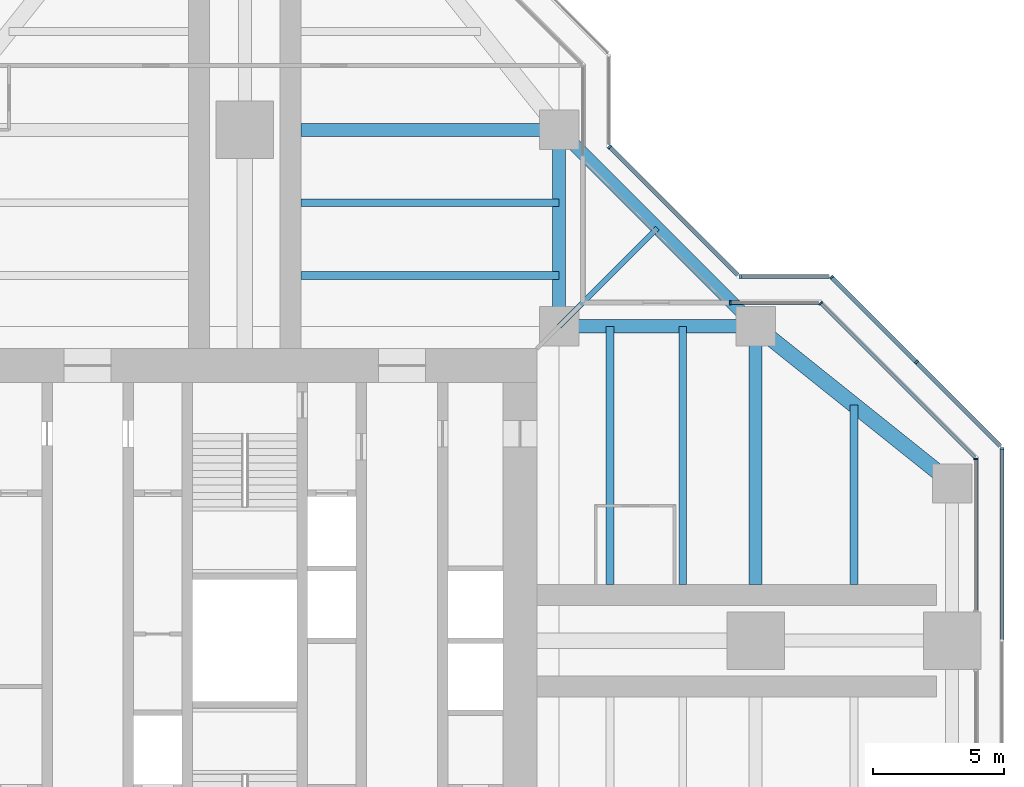
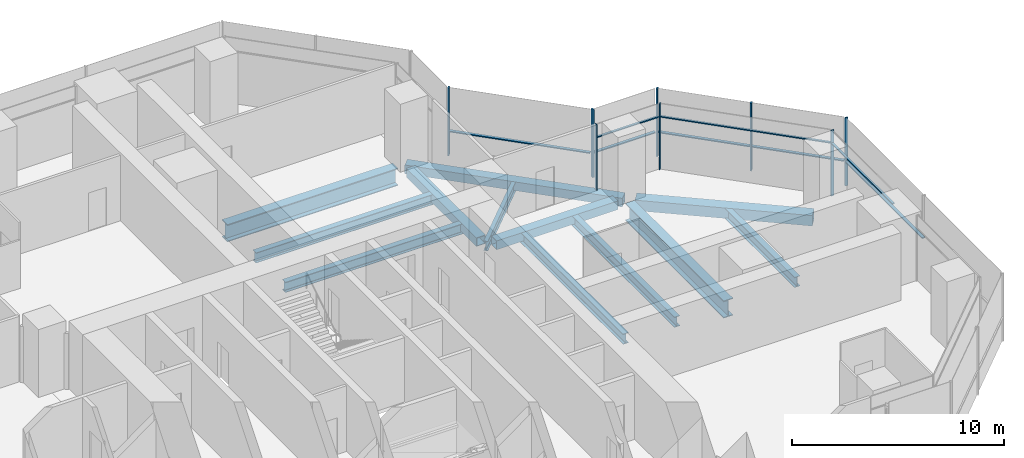
# One storey, part 8 of 17: 16 members, 12 beams, 7 elements without a shape of their own.
"""IFC4 building model written with IfcOpenShell, lengths in metres."""

from ifc_helpers import new_model, si_unit, direction, frame, origin, origin_2d, place, context, subcontext, project, spatial, rectangle, hollow_rectangle, i_section, extrude, material, material_profile, profile_set, type_object, element, aggregate, save


model = new_model("IFC4")

# Units and contexts
model_context = context("Model", 3, precision=1e-05, world=origin(), true_north=direction((0.0, 1.0)))
body_context = subcontext(model_context, "Body", "Model", "MODEL_VIEW")
ifc_project = project(units=[si_unit("LENGTHUNIT", "METRE"), si_unit("AREAUNIT", "SQUARE_METRE"), si_unit("VOLUMEUNIT", "CUBIC_METRE"), si_unit("PLANEANGLEUNIT", "RADIAN"), si_unit("MASSUNIT", "GRAM", prefix="KILO")], contexts=[model_context])

# Site, building, storey
site_placement = place(None, origin())
site = spatial("IfcSite", under=ifc_project, at=site_placement, CompositionType="ELEMENT")
building_placement = place(site_placement, origin())
building = spatial("IfcBuilding", under=site, at=building_placement, Name="Mizan Broadcast Tower", CompositionType="ELEMENT")
storey_placement = place(building_placement, frame((0.0, 0.0, 259.5)))
storey = spatial("IfcBuildingStorey", under=building, at=storey_placement, Name="L61", CompositionType="ELEMENT", Elevation=259.5)

# Beams
ifc_material_1 = material(Name="Steel S355", Category="steel")
ifc_material_profile_1 = material_profile(ifc_material_1, hollow_rectangle(XDim=0.5, YDim=0.5, WallThickness=0.030029296875, at=origin_2d()), Name="BOX 500x500x30")
ifc_profile_set_1 = profile_set([ifc_material_profile_1], Name="Steel S355")
beam_type_1 = type_object("IfcBeamType", Name="EDGE BEAM BOX 500x500x30", PredefinedType="SPANDREL", material=ifc_profile_set_1)
for number, where, z_axis, x_axis, name in (
    (1, (12.449951171875, 12.0, -0.3798828125), (1.0, 0.0, 0.0), (0.0, 1.0, 0.0), "Edge beam BOX 500x500x30 L61 east arm"),
    (2, (12.0, 12.449951171875, -0.3798828125), (0.0, 1.0, 0.0), (-1.0, 0.0, 0.0), "Edge beam BOX 500x500x30 L61 north arm"),
):
    element("IfcBeam", number, at=place(storey_placement, frame(where, z_axis=z_axis, x_axis=x_axis)), inside=storey, type_object=beam_type_1, Name=name, PredefinedType="SPANDREL", context=body_context, shape_type="SweptSolid", body=[
        extrude(hollow_rectangle(XDim=0.5, YDim=0.5, WallThickness=0.030029296875, at=origin_2d()), origin(), (0.0, 0.0, 1.0), 6.60009765625),
    ])
beam_1_placement = place(storey_placement, frame((19.5, 12.0, -0.3798828125), z_axis=(-0.707106781187, 0.707106781187, 0.0), x_axis=(-0.707106781187, -0.707106781187, 0.0)))
element("IfcBeam", 3, at=beam_1_placement, inside=storey, type_object=beam_type_1, Name="Winter garden edge beam L61 E", PredefinedType="SPANDREL", context=body_context, shape_type="SweptSolid", body=[
    extrude(hollow_rectangle(XDim=0.5, YDim=0.5, WallThickness=0.030029296875, at=origin_2d()), origin(), (0.0, 0.0, 1.0), 10.606689453125),
])
ifc_material_2 = material(Name="Steel S355", Category="steel")
ifc_material_profile_2 = material_profile(ifc_material_2, hollow_rectangle(XDim=0.60009765625, YDim=0.60009765625, WallThickness=0.030029296875, at=origin_2d()), Name="BOX 600x600x30")
ifc_profile_set_2 = profile_set([ifc_material_profile_2], Name="Steel S355")
beam_type_2 = type_object("IfcBeamType", Name="EDGE BEAM BOX 600x600x30", PredefinedType="SPANDREL", material=ifc_profile_set_2)
beam_2_placement = place(storey_placement, frame((19.949951171875, 11.639892578125, -0.429931640625), z_axis=(0.780885717636, -0.624673911726, 0.0), x_axis=(0.624673911726, 0.780885717636, 0.0)))
element("IfcBeam", 4, at=beam_2_placement, inside=storey, type_object=beam_type_2, Name="Edge beam BOX 600x600x30 L61 east arm", PredefinedType="SPANDREL", context=body_context, shape_type="SweptSolid", body=[
    extrude(hollow_rectangle(XDim=0.60009765625, YDim=0.60009765625, WallThickness=0.030029296875, at=origin_2d()), origin(), (0.0, 0.0, 1.0), 8.4521484375),
])
ifc_material_3 = material(Name="Steel S460", Category="steel")
ifc_material_profile_3 = material_profile(ifc_material_3, i_section(OverallWidth=0.5, OverallDepth=1.0, WebThickness=0.02490234375, FlangeThickness=0.050048828125, at=origin_2d()), Name="WPG 1000x500")
ifc_profile_set_3 = profile_set([ifc_material_profile_3], Name="Steel S460")
beam_type_3 = type_object("IfcBeamType", Name="GIRDER WPG 1000x500", PredefinedType="BEAM", material=ifc_profile_set_3)
for number, where, z_axis, x_axis, name in (
    (5, (19.5, 11.408935546875, -0.6298828125), (0.0, -1.0, 0.0), (1.0, 0.0, 0.0), "Girder WPG 1000x500 L61 east arm"),
    (6, (11.408935546875, 19.5, -0.6298828125), (-1.0, 0.0, 0.0), (0.0, -1.0, 0.0), "Girder WPG 1000x500 L61 north arm"),
):
    element("IfcBeam", number, at=place(storey_placement, frame(where, z_axis=z_axis, x_axis=x_axis)), inside=storey, type_object=beam_type_3, Name=name, PredefinedType="BEAM", context=body_context, shape_type="SweptSolid", body=[
        extrude(i_section(OverallWidth=0.5, OverallDepth=1.0, WebThickness=0.02490234375, FlangeThickness=0.050048828125, at=origin_2d()), origin(), (0.0, 0.0, 1.0), 9.259033203125),
    ])

# Curtain wall, member
ifc_material_4 = material(Name="Aluminium framed glazing", Category="aluminium")
curtain_wall_type_1 = type_object("IfcCurtainWallType", Name="INNER SKIN HIGH ZONE", PredefinedType="USERDEFINED", material=ifc_material_4)
curtain_wall_1_placement = place(storey_placement, origin())
curtain_wall_1 = element("IfcCurtainWall", 7, at=curtain_wall_1_placement, inside=storey, type_object=curtain_wall_type_1, Name="Inner skin high zone L61 E end", ObjectType="INNER SKIN HIGH ZONE", PredefinedType="USERDEFINED")
ifc_material_5 = material(Name="Aluminium, pale anodised", Category="aluminium")
ifc_material_profile_4 = material_profile(ifc_material_5, rectangle(XDim=0.159912109375, YDim=0.06005859375, at=origin_2d()), Name="MULLION 160x60")
ifc_profile_set_4 = profile_set([ifc_material_profile_4], Name="Aluminium, pale anodised")
member_type_1 = type_object("IfcMemberType", Name="INNER SKIN MULLION 60x160", PredefinedType="MULLION", material=ifc_profile_set_4)
member_1_placement = place(storey_placement, frame((27.89990234375, 6.928466796875, 0.0), z_axis=(0.0, 0.0, 1.0), x_axis=(-1.0, 0.0, 0.0)))
member_1 = element("IfcMember", 8, at=member_1_placement, type_object=member_type_1, Name="Inner skin high zone L61 E end mullion 2", PredefinedType="MULLION", context=body_context, shape_type="SweptSolid", body=[
    extrude(rectangle(XDim=0.159912109375, YDim=0.06005859375, at=origin_2d()), origin(), (0.0, 0.0, 1.0), 3.77001953125),
])

curtain_wall_2_placement = place(storey_placement, origin())
curtain_wall_2 = element("IfcCurtainWall", 9, at=curtain_wall_2_placement, inside=storey, type_object=curtain_wall_type_1, Name="Inner skin high zone L61 E chamfer", ObjectType="INNER SKIN HIGH ZONE", PredefinedType="USERDEFINED")
member_2_placement = place(storey_placement, frame((21.979736328125, 12.87890625, 0.0), z_axis=(0.0, 0.0, 1.0), x_axis=(-0.707106781187, -0.707106781187, 0.0)))
member_2 = element("IfcMember", 10, at=member_2_placement, type_object=member_type_1, Name="Inner skin high zone L61 E chamfer mullion 2", PredefinedType="MULLION", context=body_context, shape_type="SweptSolid", body=[
    extrude(rectangle(XDim=0.159912109375, YDim=0.06005859375, at=origin_2d()), origin(), (0.0, 0.0, 1.0), 3.77001953125),
])

curtain_wall_3_placement = place(storey_placement, origin())
curtain_wall_3 = element("IfcCurtainWall", 11, at=curtain_wall_3_placement, inside=storey, type_object=curtain_wall_type_1, Name="Inner skin high zone L61 E side", ObjectType="INNER SKIN HIGH ZONE", PredefinedType="USERDEFINED")
member_3_placement = place(storey_placement, frame((18.530029296875, 12.89990234375, 0.0), z_axis=(0.0, 0.0, 1.0), x_axis=(0.0, -1.0, 0.0)))
member_3 = element("IfcMember", 12, at=member_3_placement, type_object=member_type_1, Name="Inner skin high zone L61 E side mullion 2", PredefinedType="MULLION", context=body_context, shape_type="SweptSolid", body=[
    extrude(rectangle(XDim=0.159912109375, YDim=0.06005859375, at=origin_2d()), origin(), (0.0, 0.0, 1.0), 3.77001953125),
])

# Member
ifc_material_6 = material(Name="Aluminium, pale anodised", Category="aluminium")
ifc_material_profile_5 = material_profile(ifc_material_6, rectangle(XDim=0.1201171875, YDim=0.06005859375, at=origin_2d()), Name="TRANSOM 120x60")
ifc_profile_set_5 = profile_set([ifc_material_profile_5], Name="Aluminium, pale anodised")
member_type_2 = type_object("IfcMemberType", Name="INNER SKIN TRANSOM 60x120", PredefinedType="USERDEFINED", material=ifc_profile_set_5)
member_4_placement = place(storey_placement, frame((27.89990234375, 1.159912109375, 3.030029296875), z_axis=(0.0, 1.0, 0.0), x_axis=(-1.0, 0.0, 0.0)))
member_4 = element("IfcMember", 13, at=member_4_placement, type_object=member_type_2, Name="Inner skin high zone L61 E end transom 1.1", ObjectType="TRANSOM", PredefinedType="USERDEFINED", context=body_context, shape_type="SweptSolid", body=[
    extrude(rectangle(XDim=0.1201171875, YDim=0.06005859375, at=origin_2d()), origin(), (0.0, 0.0, 1.0), 5.73876953125),
])

aggregate(curtain_wall_1, [member_1, member_4])

member_5_placement = place(storey_placement, frame((27.857666015625, 7.0009765625, 3.030029296875), z_axis=(-0.707106781187, 0.707106781187, 0.0), x_axis=(-0.707106781187, -0.707106781187, 0.0)))
member_5 = element("IfcMember", 14, at=member_5_placement, type_object=member_type_2, Name="Inner skin high zone L61 E chamfer transom 1.1", ObjectType="TRANSOM", PredefinedType="USERDEFINED", context=body_context, shape_type="SweptSolid", body=[
    extrude(rectangle(XDim=0.1201171875, YDim=0.06005859375, at=origin_2d()), origin(), (0.0, 0.0, 1.0), 8.28271484375),
])

aggregate(curtain_wall_2, [member_2, member_5])

member_6_placement = place(storey_placement, frame((21.898681640625, 12.89990234375, 3.030029296875), z_axis=(-1.0, 0.0, 0.0), x_axis=(0.0, -1.0, 0.0)))
member_6 = element("IfcMember", 15, at=member_6_placement, type_object=member_type_2, Name="Inner skin high zone L61 E side transom 1.1", ObjectType="TRANSOM", PredefinedType="USERDEFINED", context=body_context, shape_type="SweptSolid", body=[
    extrude(rectangle(XDim=0.1201171875, YDim=0.06005859375, at=origin_2d()), origin(), (0.0, 0.0, 1.0), 3.338623046875),
])

aggregate(curtain_wall_3, [member_3, member_6])

# Curtain wall, member
ifc_material_7 = material(Name="Aluminium framed glazing", Category="aluminium")
curtain_wall_type_2 = type_object("IfcCurtainWallType", Name="OUTER SKIN", PredefinedType="USERDEFINED", material=ifc_material_7)
curtain_wall_4_placement = place(storey_placement, origin())
curtain_wall_4 = element("IfcCurtainWall", 16, at=curtain_wall_4_placement, inside=storey, type_object=curtain_wall_type_2, Name="Outer skin L61 E end", ObjectType="OUTER SKIN", PredefinedType="USERDEFINED")
ifc_material_8 = material(Name="Aluminium, pale anodised", Category="aluminium")
ifc_material_profile_6 = material_profile(ifc_material_8, rectangle(XDim=0.159912109375, YDim=0.080078125, at=origin_2d()), Name="MULLION 160x80")
ifc_profile_set_6 = profile_set([ifc_material_profile_6], Name="Aluminium, pale anodised")
member_type_3 = type_object("IfcMemberType", Name="OUTER SKIN MULLION 80x160", PredefinedType="MULLION", material=ifc_profile_set_6)
member_7_placement = place(storey_placement, frame((28.89990234375, 7.332763671875, 0.0), z_axis=(0.0, 0.0, 1.0), x_axis=(-1.0, 0.0, 0.0)))
member_7 = element("IfcMember", 17, at=member_7_placement, type_object=member_type_3, Name="Outer skin L61 E end mullion 3", PredefinedType="MULLION", context=body_context, shape_type="SweptSolid", body=[
    extrude(rectangle(XDim=0.159912109375, YDim=0.080078125, at=origin_2d()), origin(), (0.0, 0.0, 1.0), 3.89990234375),
])

# Curtain wall, members
curtain_wall_5_placement = place(storey_placement, origin())
curtain_wall_5 = element("IfcCurtainWall", 18, at=curtain_wall_5_placement, inside=storey, type_object=curtain_wall_type_2, Name="Outer skin L61 E chamfer", ObjectType="OUTER SKIN", PredefinedType="USERDEFINED")
member_8_placement = place(storey_placement, frame((25.636474609375, 10.636474609375, 0.0), z_axis=(0.0, 0.0, 1.0), x_axis=(-0.707106781187, -0.707106781187, 0.0)))
member_8 = element("IfcMember", 19, at=member_8_placement, type_object=member_type_3, Name="Outer skin L61 E chamfer mullion 2", PredefinedType="MULLION", context=body_context, shape_type="SweptSolid", body=[
    extrude(rectangle(XDim=0.159912109375, YDim=0.080078125, at=origin_2d()), origin(), (0.0, 0.0, 1.0), 3.89990234375),
])
member_9_placement = place(storey_placement, frame((22.401123046875, 13.871826171875, 0.0), z_axis=(0.0, 0.0, 1.0), x_axis=(-0.707106781187, -0.707106781187, 0.0)))
member_9 = element("IfcMember", 20, at=member_9_placement, type_object=member_type_3, Name="Outer skin L61 E chamfer mullion 3", PredefinedType="MULLION", context=body_context, shape_type="SweptSolid", body=[
    extrude(rectangle(XDim=0.159912109375, YDim=0.080078125, at=origin_2d()), origin(), (0.0, 0.0, 1.0), 3.89990234375),
])

# Curtain wall, member
curtain_wall_6_placement = place(storey_placement, origin())
curtain_wall_6 = element("IfcCurtainWall", 21, at=curtain_wall_6_placement, inside=storey, type_object=curtain_wall_type_2, Name="Outer skin L61 E side", ObjectType="OUTER SKIN", PredefinedType="USERDEFINED")
member_10_placement = place(storey_placement, frame((18.912841796875, 13.89990234375, 0.0), z_axis=(0.0, 0.0, 1.0), x_axis=(0.0, -1.0, 0.0)))
member_10 = element("IfcMember", 22, at=member_10_placement, type_object=member_type_3, Name="Outer skin L61 E side mullion 2", PredefinedType="MULLION", context=body_context, shape_type="SweptSolid", body=[
    extrude(rectangle(XDim=0.159912109375, YDim=0.080078125, at=origin_2d()), origin(), (0.0, 0.0, 1.0), 3.89990234375),
])

curtain_wall_7_placement = place(storey_placement, origin())
curtain_wall_7 = element("IfcCurtainWall", 23, at=curtain_wall_7_placement, inside=storey, type_object=curtain_wall_type_2, Name="Outer skin L61 E chamfer", ObjectType="OUTER SKIN", PredefinedType="USERDEFINED")
member_11_placement = place(storey_placement, frame((13.92822265625, 18.844482421875, 0.0), z_axis=(0.0, 0.0, 1.0), x_axis=(-0.707106781187, -0.707106781187, 0.0)))
member_11 = element("IfcMember", 24, at=member_11_placement, type_object=member_type_3, Name="Outer skin L61 E chamfer mullion 2", PredefinedType="MULLION", context=body_context, shape_type="SweptSolid", body=[
    extrude(rectangle(XDim=0.159912109375, YDim=0.080078125, at=origin_2d()), origin(), (0.0, 0.0, 1.0), 3.89990234375),
])

# Member
ifc_material_9 = material(Name="Aluminium, pale anodised", Category="aluminium")
ifc_material_profile_7 = material_profile(ifc_material_9, rectangle(XDim=0.159912109375, YDim=0.06005859375, at=origin_2d()), Name="TRANSOM 160x60")
ifc_profile_set_7 = profile_set([ifc_material_profile_7], Name="Aluminium, pale anodised")
member_type_4 = type_object("IfcMemberType", Name="OUTER SKIN TRANSOM 60x160", PredefinedType="USERDEFINED", material=ifc_profile_set_7)
member_12_placement = place(storey_placement, frame((28.89990234375, 0.0400390625, 1.39990234375), z_axis=(0.0, 1.0, 0.0), x_axis=(-1.0, 0.0, 0.0)))
member_12 = element("IfcMember", 25, at=member_12_placement, type_object=member_type_4, Name="Outer skin L61 E end transom 2.1", ObjectType="TRANSOM", PredefinedType="USERDEFINED", context=body_context, shape_type="SweptSolid", body=[
    extrude(rectangle(XDim=0.159912109375, YDim=0.06005859375, at=origin_2d()), origin(), (0.0, 0.0, 1.0), 7.252685546875),
])

aggregate(curtain_wall_4, [member_7, member_12])

member_13_placement = place(storey_placement, frame((28.843505859375, 7.429443359375, 1.39990234375), z_axis=(-0.707106781187, 0.707106781187, 0.0), x_axis=(-0.707106781187, -0.707106781187, 0.0)))
member_13 = element("IfcMember", 26, at=member_13_placement, type_object=member_type_4, Name="Outer skin L61 E chamfer transom 1.1", ObjectType="TRANSOM", PredefinedType="USERDEFINED", context=body_context, shape_type="SweptSolid", body=[
    extrude(rectangle(XDim=0.159912109375, YDim=0.06005859375, at=origin_2d()), origin(), (0.0, 0.0, 1.0), 4.495361328125),
])

member_14_placement = place(storey_placement, frame((25.608154296875, 10.664794921875, 1.39990234375), z_axis=(-0.707106781187, 0.707106781187, 0.0), x_axis=(-0.707106781187, -0.707106781187, 0.0)))
member_14 = element("IfcMember", 27, at=member_14_placement, type_object=member_type_4, Name="Outer skin L61 E chamfer transom 2.1", ObjectType="TRANSOM", PredefinedType="USERDEFINED", context=body_context, shape_type="SweptSolid", body=[
    extrude(rectangle(XDim=0.159912109375, YDim=0.06005859375, at=origin_2d()), origin(), (0.0, 0.0, 1.0), 4.495361328125),
])

aggregate(curtain_wall_5, [member_8, member_9, member_13, member_14])

member_15_placement = place(storey_placement, frame((22.292724609375, 13.89990234375, 1.39990234375), z_axis=(-1.0, 0.0, 0.0), x_axis=(0.0, -1.0, 0.0)))
member_15 = element("IfcMember", 28, at=member_15_placement, type_object=member_type_4, Name="Outer skin L61 E side transom 1.1", ObjectType="TRANSOM", PredefinedType="USERDEFINED", context=body_context, shape_type="SweptSolid", body=[
    extrude(rectangle(XDim=0.159912109375, YDim=0.06005859375, at=origin_2d()), origin(), (0.0, 0.0, 1.0), 3.33984375),
])

aggregate(curtain_wall_6, [member_10, member_15])

member_16_placement = place(storey_placement, frame((18.816162109375, 13.95654296875, 1.39990234375), z_axis=(-0.707106781187, 0.707106781187, 0.0), x_axis=(-0.707106781187, -0.707106781187, 0.0)))
member_16 = element("IfcMember", 29, at=member_16_placement, type_object=member_type_4, Name="Outer skin L61 E chamfer transom 1.1", ObjectType="TRANSOM", PredefinedType="USERDEFINED", context=body_context, shape_type="SweptSolid", body=[
    extrude(rectangle(XDim=0.159912109375, YDim=0.06005859375, at=origin_2d()), origin(), (0.0, 0.0, 1.0), 6.87255859375),
])

aggregate(curtain_wall_7, [member_11, member_16])

# Beams
ifc_material_10 = material(Name="Steel S355", Category="steel")
ifc_material_profile_8 = material_profile(ifc_material_10, i_section(OverallWidth=0.300048828125, OverallDepth=0.590087890625, WebThickness=0.012939453125, FlangeThickness=0.02490234375, FilletRadius=0.027099609375, at=origin_2d()), Name="HEA 600")
ifc_profile_set_8 = profile_set([ifc_material_profile_8], Name="Steel S355")
beam_type_4 = type_object("IfcBeamType", Name="SECONDARY BEAM HEA 600", PredefinedType="JOIST", material=ifc_profile_set_8)
for number, where, z_axis, x_axis, name in (
    (30, (13.933349609375, 12.0, -0.425048828125), (0.0, -1.0, 0.0), (1.0, 0.0, 0.0), "Secondary beam HEA 600 L61 east arm"),
    (31, (16.716552734375, 12.0, -0.425048828125), (0.0, -1.0, 0.0), (1.0, 0.0, 0.0), "Secondary beam HEA 600 L61 east arm"),
):
    element("IfcBeam", number, at=place(storey_placement, frame(where, z_axis=z_axis, x_axis=x_axis)), inside=storey, type_object=beam_type_4, Name=name, PredefinedType="JOIST", context=body_context, shape_type="SweptSolid", body=[
        extrude(i_section(OverallWidth=0.300048828125, OverallDepth=0.590087890625, WebThickness=0.012939453125, FlangeThickness=0.02490234375, FilletRadius=0.027099609375, at=origin_2d()), origin(), (0.0, 0.0, 1.0), 9.85009765625),
    ])
beam_3_placement = place(storey_placement, frame((23.25, 9.0, -0.425048828125), z_axis=(0.0, -1.0, 0.0), x_axis=(1.0, 0.0, 0.0)))
element("IfcBeam", 32, at=beam_3_placement, inside=storey, type_object=beam_type_4, Name="Secondary beam HEA 600 L61 east arm", PredefinedType="JOIST", context=body_context, shape_type="SweptSolid", body=[
    extrude(i_section(OverallWidth=0.300048828125, OverallDepth=0.590087890625, WebThickness=0.012939453125, FlangeThickness=0.02490234375, FilletRadius=0.027099609375, at=origin_2d()), origin(), (0.0, 0.0, 1.0), 6.85009765625),
])
for number, where, z_axis, x_axis, name in (
    (33, (12.0, 13.933349609375, -0.425048828125), (-1.0, 0.0, 0.0), (0.0, -1.0, 0.0), "Secondary beam HEA 600 L61 north arm"),
    (34, (12.0, 16.716552734375, -0.425048828125), (-1.0, 0.0, 0.0), (0.0, -1.0, 0.0), "Secondary beam HEA 600 L61 north arm"),
):
    element("IfcBeam", number, at=place(storey_placement, frame(where, z_axis=z_axis, x_axis=x_axis)), inside=storey, type_object=beam_type_4, Name=name, PredefinedType="JOIST", context=body_context, shape_type="SweptSolid", body=[
        extrude(i_section(OverallWidth=0.300048828125, OverallDepth=0.590087890625, WebThickness=0.012939453125, FlangeThickness=0.02490234375, FilletRadius=0.027099609375, at=origin_2d()), origin(), (0.0, 0.0, 1.0), 9.85009765625),
    ])
ifc_material_11 = material(Name="Steel S355", Category="steel")
ifc_material_profile_9 = material_profile(ifc_material_11, i_section(OverallWidth=0.2099609375, OverallDepth=0.550048828125, WebThickness=0.010986328125, FlangeThickness=0.01708984375, FilletRadius=0.02392578125, at=origin_2d()), Name="IPE 550")
ifc_profile_set_9 = profile_set([ifc_material_profile_9], Name="Steel S355")
beam_type_5 = type_object("IfcBeamType", Name="SECONDARY BEAM IPE 550", PredefinedType="JOIST", material=ifc_profile_set_9)
beam_4_placement = place(storey_placement, frame((12.0, 12.0, -0.405029296875), z_axis=(0.707106781187, 0.707106781187, 0.0), x_axis=(-0.707106781187, 0.707106781187, 0.0)))
element("IfcBeam", 35, at=beam_4_placement, inside=storey, type_object=beam_type_5, Name="Winter garden beam L61 E", PredefinedType="JOIST", context=body_context, shape_type="SweptSolid", body=[
    extrude(i_section(OverallWidth=0.2099609375, OverallDepth=0.550048828125, WebThickness=0.010986328125, FlangeThickness=0.01708984375, FilletRadius=0.02392578125, at=origin_2d()), origin(), (0.0, 0.0, 1.0), 5.30322265625),
])

save(model, "model.ifc")
